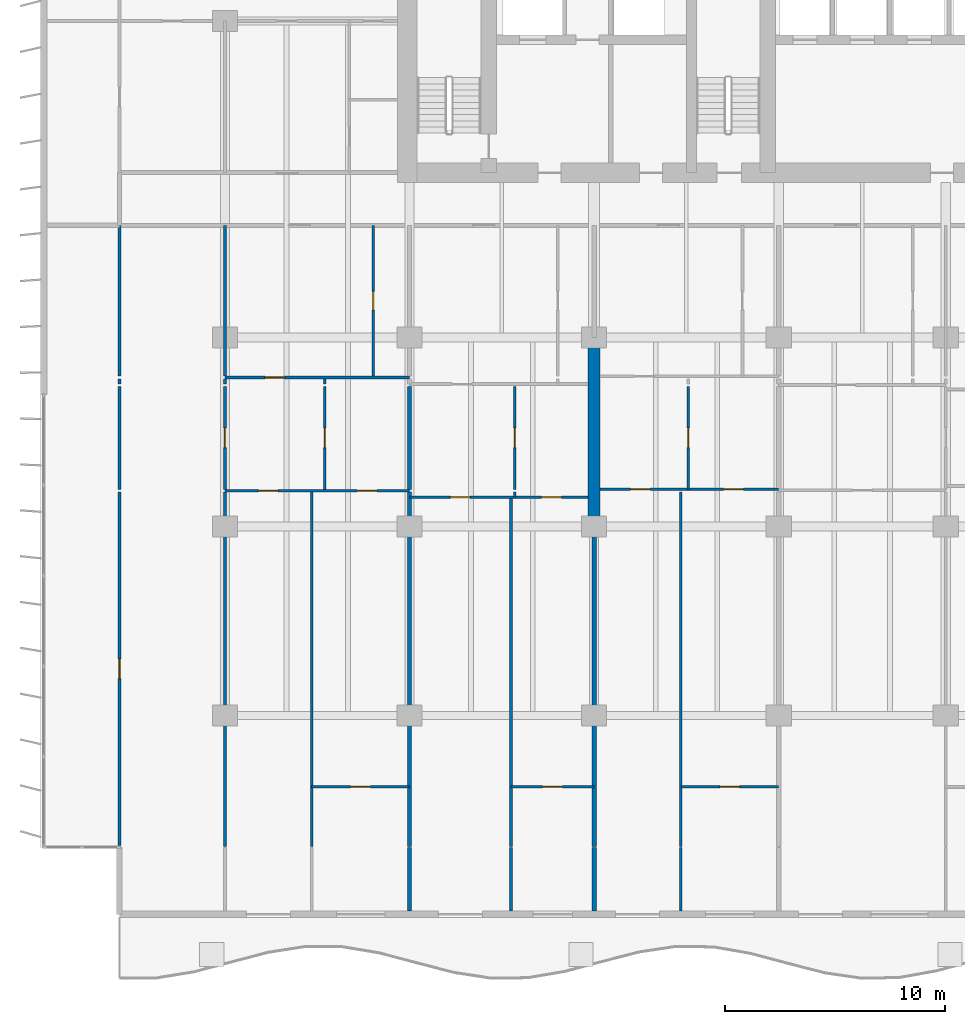
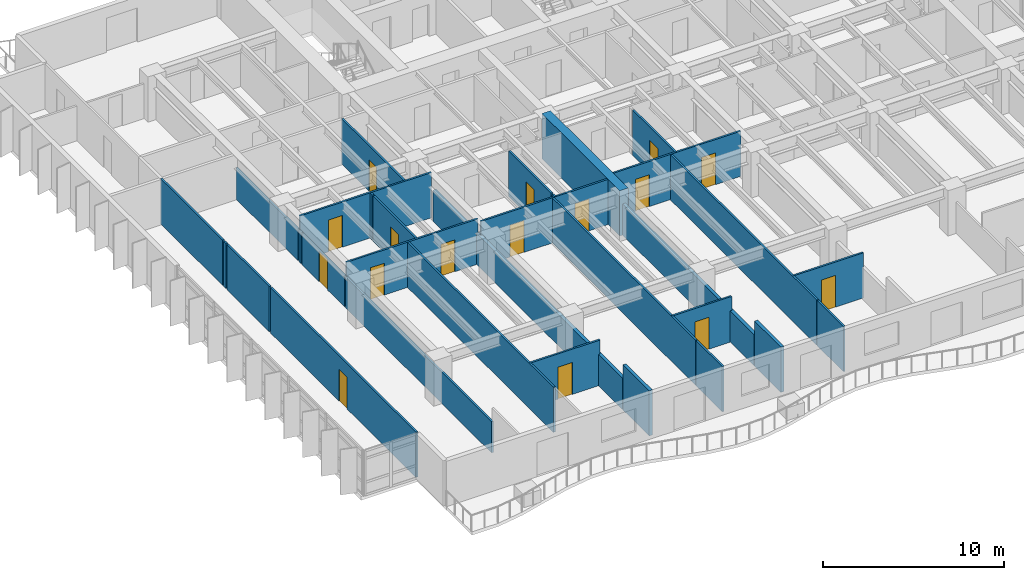
# One storey, part 6 of 18: 32 walls, 16 doors, 16 openings.
"""IFC4 building model written with IfcOpenShell, lengths in metres."""

from ifc_helpers import new_model, si_unit, direction, frame, frame_2d, origin, place, context, subcontext, project, spatial, rectangle, extrude, material, layer, layer_set, type_object, element, fill, save


model = new_model("IFC4")

# Units and contexts
model_context = context("Model", 3, precision=1e-05, world=origin(), true_north=direction((0.0, 1.0)))
body_context = subcontext(model_context, "Body", "Model", "MODEL_VIEW")
ifc_project = project(units=[si_unit("LENGTHUNIT", "METRE"), si_unit("AREAUNIT", "SQUARE_METRE"), si_unit("VOLUMEUNIT", "CUBIC_METRE"), si_unit("PLANEANGLEUNIT", "RADIAN"), si_unit("MASSUNIT", "GRAM", prefix="KILO")], contexts=[model_context])

# Site, building, storey
site_placement = place(None, origin())
site = spatial("IfcSite", under=ifc_project, at=site_placement, CompositionType="ELEMENT")
building_placement = place(site_placement, origin())
building = spatial("IfcBuilding", under=site, at=building_placement, Name="Caelmar Bay Residences", CompositionType="ELEMENT")
storey_placement = place(building_placement, frame((0.0, 0.0, 36.60009765625)))
storey = spatial("IfcBuildingStorey", under=building, at=storey_placement, Name="L08", CompositionType="ELEMENT", Elevation=36.60009765625)

# Wall
ifc_material_1 = material(Name="Concrete f'c 70 MPa (10,000 psi)", Category="concrete")
ifc_layer_1 = layer(ifc_material_1, 0.550048828125)
ifc_layer_set_1 = layer_set([ifc_layer_1], Name="Concrete f'c 70 MPa (10,000 psi)")
wall_type_1 = type_object("IfcWallType", Name="SW-XSLB-550", PredefinedType="SHEAR", material=ifc_layer_set_1)
wall_1_placement = place(storey_placement, frame((26.699951171875, 20.800048828125, 0.0), z_axis=(0.0, 0.0, 1.0), x_axis=(0.0, 1.0, 0.0)))
element("IfcWall", 1, at=wall_1_placement, inside=storey, type_object=wall_type_1, Name="L08 Transverse Cross-Slab Shear Wall W5", PredefinedType="SHEAR", context=body_context, shape_type="SweptSolid", body=[
    extrude(rectangle(XDim=8.599853515625, YDim=0.550048828125, at=frame_2d((4.2998046875, 0.0))), origin(), (0.0, 0.0, 1.0), 3.0498046875),
])

# Wall, opening, door
ifc_material_2 = material(Name="Acoustic metal-stud gypsum partition 120 mm")
ifc_layer_2 = layer(ifc_material_2, 0.1201171875)
ifc_layer_set_2 = layer_set([ifc_layer_2], Name="Acoustic metal-stud gypsum partition 120 mm")
wall_type_2 = type_object("IfcWallType", Name="W-PRT-120", PredefinedType="PARTITIONING", material=ifc_layer_set_2)
wall_2_placement = place(storey_placement, frame((5.10009765625, 6.284912109375, 0.0), z_axis=(0.0, 0.0, 1.0), x_axis=(0.0, 1.0, 0.0)))
wall_2 = element("IfcWall", 2, at=wall_2_placement, inside=storey, type_object=wall_type_2, Name="L08 Partition Wall V001", PredefinedType="PARTITIONING", context=body_context, shape_type="SweptSolid", body=[
    extrude(rectangle(XDim=16.085205078125, YDim=0.1201171875, at=frame_2d((8.04248046875, 0.0))), origin(), (0.0, 0.0, 1.0), 3.0498046875),
])
opening_1_placement = place(wall_2_placement, frame((7.592529296875, 0.0, 0.0)))
opening_1 = element("IfcOpeningElement", 3, at=opening_1_placement, cuts=wall_2, Name="Opening D-L08-167", PredefinedType="OPENING", context=body_context, shape_type="SweptSolid", body=[
    extrude(rectangle(XDim=0.89990234375, YDim=2.14990234375, at=frame_2d((0.449951171875, 1.074951171875))), frame((0.0, 0.070068359375, 0.0), z_axis=(0.0, -1.0, 0.0), x_axis=(1.0, 0.0, 0.0)), (0.0, 0.0, 1.0), 0.14013671875),
])
ifc_material_3 = material(Name="Solid walnut timber interior door leaf and frame", Category="wood")
ifc_layer_3 = layer(ifc_material_3, 0.050048828125)
ifc_layer_set_3 = layer_set([ifc_layer_3], Name="Solid walnut timber interior door leaf and frame")
door_type_1 = type_object("IfcDoorType", Name="D-ROOM-900", OperationType="NOTDEFINED", PredefinedType="DOOR", material=ifc_layer_set_3)
door_1_placement = place(opening_1_placement, origin())
door_1 = element("IfcDoor", 4, at=door_1_placement, inside=storey, type_object=door_type_1, Name="L08 Residence 01 Penthouse West Salon Door", OperationType="SINGLE_SWING_LEFT", OverallHeight=2.14990234375, OverallWidth=0.89990234375, PredefinedType="DOOR", context=body_context, shape_type="SweptSolid", body=[
    extrude(rectangle(XDim=0.89990234375, YDim=2.14990234375, at=frame_2d((0.449951171875, 1.074951171875))), frame((0.0, 0.02490234375, 0.0), z_axis=(0.0, -1.0, 0.0), x_axis=(1.0, 0.0, 0.0)), (0.0, 0.0, 1.0), 0.050048828125),
])
fill(opening_1, door_1)

# Walls
wall_3_placement = place(storey_placement, frame((5.10009765625, 22.489990234375, 0.0), z_axis=(0.0, 0.0, 1.0), x_axis=(0.0, 1.0, 0.0)))
element("IfcWall", 5, at=wall_3_placement, inside=storey, type_object=wall_type_2, Name="L08 Partition Wall V002", PredefinedType="PARTITIONING", context=body_context, shape_type="SweptSolid", body=[
    extrude(rectangle(XDim=4.68994140625, YDim=0.1201171875, at=frame_2d((2.344970703125, 0.0))), origin(), (0.0, 0.0, 1.0), 3.0498046875),
])
wall_4_placement = place(storey_placement, frame((5.10009765625, 27.280029296875, 0.0), z_axis=(0.0, 0.0, 1.0), x_axis=(0.0, 1.0, 0.0)))
element("IfcWall", 6, at=wall_4_placement, inside=storey, type_object=wall_type_2, Name="L08 Partition Wall V003", PredefinedType="PARTITIONING", context=body_context, shape_type="SweptSolid", body=[
    extrude(rectangle(XDim=0.239990234375, YDim=0.1201171875, at=frame_2d((0.1201171875, 0.0))), origin(), (0.0, 0.0, 1.0), 3.0498046875),
])
wall_5_placement = place(storey_placement, frame((5.10009765625, 27.639892578125, 0.0), z_axis=(0.0, 0.0, 1.0), x_axis=(0.0, 1.0, 0.0)))
element("IfcWall", 7, at=wall_5_placement, inside=storey, type_object=wall_type_2, Name="L08 Partition Wall V004", PredefinedType="PARTITIONING", context=body_context, shape_type="SweptSolid", body=[
    extrude(rectangle(XDim=6.860107421875, YDim=0.1201171875, at=frame_2d((3.43017578125, 0.0))), origin(), (0.0, 0.0, 1.0), 3.0498046875),
])
wall_6_placement = place(storey_placement, frame((9.89990234375, 6.239990234375, 0.0), z_axis=(0.0, 0.0, 1.0), x_axis=(0.0, 1.0, 0.0)))
element("IfcWall", 8, at=wall_6_placement, inside=storey, type_object=wall_type_2, Name="L08 Partition Wall V008", PredefinedType="PARTITIONING", context=body_context, shape_type="SweptSolid", body=[
    extrude(rectangle(XDim=16.130126953125, YDim=0.1201171875, at=frame_2d((8.06494140625, 0.0))), origin(), (0.0, 0.0, 1.0), 2.10986328125),
])

# Wall, opening, door
wall_7_placement = place(storey_placement, frame((9.89990234375, 22.489990234375, 0.0), z_axis=(0.0, 0.0, 1.0), x_axis=(0.0, 1.0, 0.0)))
wall_7 = element("IfcWall", 9, at=wall_7_placement, inside=storey, type_object=wall_type_2, Name="L08 Partition Wall V009", PredefinedType="PARTITIONING", context=body_context, shape_type="SweptSolid", body=[
    extrude(rectangle(XDim=4.68994140625, YDim=0.1201171875, at=frame_2d((2.344970703125, 0.0))), origin(), (0.0, 0.0, 1.0), 2.10986328125),
])
opening_2_placement = place(wall_7_placement, frame((1.89501953125, 0.0, 0.0)))
opening_2 = element("IfcOpeningElement", 10, at=opening_2_placement, cuts=wall_7, Name="Opening D-L08-128", PredefinedType="OPENING", context=body_context, shape_type="SweptSolid", body=[
    extrude(rectangle(XDim=0.89990234375, YDim=2.06005859375, at=frame_2d((0.449951171875, 1.030029296875))), frame((0.0, 0.070068359375, 0.0), z_axis=(0.0, -1.0, 0.0), x_axis=(1.0, 0.0, 0.0)), (0.0, 0.0, 1.0), 0.14013671875),
])
door_2_placement = place(opening_2_placement, origin())
door_2 = element("IfcDoor", 11, at=door_2_placement, inside=storey, type_object=door_type_1, Name="L08 Residence 01 West Apartment Hall Door", OperationType="SINGLE_SWING_RIGHT", OverallHeight=2.06005859375, OverallWidth=0.89990234375, PredefinedType="DOOR", context=body_context, shape_type="SweptSolid", body=[
    extrude(rectangle(XDim=0.89990234375, YDim=2.06005859375, at=frame_2d((0.449951171875, 1.030029296875))), frame((0.0, 0.02490234375, 0.0), z_axis=(0.0, -1.0, 0.0), x_axis=(1.0, 0.0, 0.0)), (0.0, 0.0, 1.0), 0.050048828125),
])
fill(opening_2, door_2)

# Walls
wall_8_placement = place(storey_placement, frame((9.89990234375, 27.280029296875, 0.0), z_axis=(0.0, 0.0, 1.0), x_axis=(0.0, 1.0, 0.0)))
element("IfcWall", 12, at=wall_8_placement, inside=storey, type_object=wall_type_2, Name="L08 Partition Wall V010", PredefinedType="PARTITIONING", context=body_context, shape_type="SweptSolid", body=[
    extrude(rectangle(XDim=0.239990234375, YDim=0.1201171875, at=frame_2d((0.1201171875, 0.0))), origin(), (0.0, 0.0, 1.0), 2.10986328125),
])
wall_9_placement = place(storey_placement, frame((9.89990234375, 27.639892578125, 0.0), z_axis=(0.0, 0.0, 1.0), x_axis=(0.0, 1.0, 0.0)))
element("IfcWall", 13, at=wall_9_placement, inside=storey, type_object=wall_type_2, Name="L08 Partition Wall V011", PredefinedType="PARTITIONING", context=body_context, shape_type="SweptSolid", body=[
    extrude(rectangle(XDim=6.860107421875, YDim=0.1201171875, at=frame_2d((3.43017578125, 0.0))), origin(), (0.0, 0.0, 1.0), 2.10986328125),
])
wall_10_placement = place(storey_placement, frame((13.847900390625, 6.239990234375, 0.0), z_axis=(0.0, 0.0, 1.0), x_axis=(0.0, 1.0, 0.0)))
element("IfcWall", 14, at=wall_10_placement, inside=storey, type_object=wall_type_2, Name="L08 Partition Wall V014", PredefinedType="PARTITIONING", context=body_context, shape_type="SweptSolid", body=[
    extrude(rectangle(XDim=16.130126953125, YDim=0.1201171875, at=frame_2d((8.06494140625, 0.0))), origin(), (0.0, 0.0, 1.0), 3.0498046875),
])

# Wall, opening, door
wall_11_placement = place(storey_placement, frame((14.43603515625, 22.489990234375, 0.0), z_axis=(0.0, 0.0, 1.0), x_axis=(0.0, 1.0, 0.0)))
wall_11 = element("IfcWall", 15, at=wall_11_placement, inside=storey, type_object=wall_type_2, Name="L08 Partition Wall V015", PredefinedType="PARTITIONING", context=body_context, shape_type="SweptSolid", body=[
    extrude(rectangle(XDim=4.68994140625, YDim=0.1201171875, at=frame_2d((2.344970703125, 0.0))), origin(), (0.0, 0.0, 1.0), 3.0498046875),
])
opening_3_placement = place(wall_11_placement, frame((1.89501953125, 0.0, 0.0)))
opening_3 = element("IfcOpeningElement", 16, at=opening_3_placement, cuts=wall_11, Name="Opening D-L08-124", PredefinedType="OPENING", context=body_context, shape_type="SweptSolid", body=[
    extrude(rectangle(XDim=0.89990234375, YDim=2.14990234375, at=frame_2d((0.449951171875, 1.074951171875))), frame((0.0, 0.070068359375, 0.0), z_axis=(0.0, -1.0, 0.0), x_axis=(1.0, 0.0, 0.0)), (0.0, 0.0, 1.0), 0.14013671875),
])
door_3_placement = place(opening_3_placement, origin())
door_3 = element("IfcDoor", 17, at=door_3_placement, inside=storey, type_object=door_type_1, Name="L08 Residence 01 Study Door", OperationType="SINGLE_SWING_RIGHT", OverallHeight=2.14990234375, OverallWidth=0.89990234375, PredefinedType="DOOR", context=body_context, shape_type="SweptSolid", body=[
    extrude(rectangle(XDim=0.89990234375, YDim=2.14990234375, at=frame_2d((0.449951171875, 1.074951171875))), frame((0.0, 0.02490234375, 0.0), z_axis=(0.0, -1.0, 0.0), x_axis=(1.0, 0.0, 0.0)), (0.0, 0.0, 1.0), 0.050048828125),
])
fill(opening_3, door_3)

# Wall
wall_12_placement = place(storey_placement, frame((14.43603515625, 27.280029296875, 0.0), z_axis=(0.0, 0.0, 1.0), x_axis=(0.0, 1.0, 0.0)))
element("IfcWall", 18, at=wall_12_placement, inside=storey, type_object=wall_type_2, Name="L08 Partition Wall V016", PredefinedType="PARTITIONING", context=body_context, shape_type="SweptSolid", body=[
    extrude(rectangle(XDim=0.239990234375, YDim=0.1201171875, at=frame_2d((0.1201171875, 0.0))), origin(), (0.0, 0.0, 1.0), 3.0498046875),
])

# Wall, opening, door
wall_13_placement = place(storey_placement, frame((16.64990234375, 27.639892578125, 0.0), z_axis=(0.0, 0.0, 1.0), x_axis=(0.0, 1.0, 0.0)))
wall_13 = element("IfcWall", 19, at=wall_13_placement, inside=storey, type_object=wall_type_2, Name="L08 Partition Wall V018", PredefinedType="PARTITIONING", context=body_context, shape_type="SweptSolid", body=[
    extrude(rectangle(XDim=6.860107421875, YDim=0.1201171875, at=frame_2d((3.43017578125, 0.0))), origin(), (0.0, 0.0, 1.0), 3.0498046875),
])
opening_4_placement = place(wall_13_placement, frame((3.0048828125, 0.0, 0.0)))
opening_4 = element("IfcOpeningElement", 20, at=opening_4_placement, cuts=wall_13, Name="Opening D-L08-122", PredefinedType="OPENING", context=body_context, shape_type="SweptSolid", body=[
    extrude(rectangle(XDim=0.85009765625, YDim=2.10009765625, at=frame_2d((0.425048828125, 1.050048828125))), frame((0.0, 0.070068359375, 0.0), z_axis=(0.0, -1.0, 0.0), x_axis=(1.0, 0.0, 0.0)), (0.0, 0.0, 1.0), 0.14013671875),
])
ifc_layer_4 = layer(ifc_material_3, 0.050048828125)
ifc_layer_set_4 = layer_set([ifc_layer_4], Name="Solid walnut timber interior door leaf and frame")
door_type_2 = type_object("IfcDoorType", Name="D-BATH-850", OperationType="NOTDEFINED", PredefinedType="DOOR", material=ifc_layer_set_4)
door_4_placement = place(opening_4_placement, origin())
door_4 = element("IfcDoor", 21, at=door_4_placement, inside=storey, type_object=door_type_2, Name="L08 Residence 01 Bathroom Door", OperationType="SINGLE_SWING_RIGHT", OverallHeight=2.10009765625, OverallWidth=0.85009765625, PredefinedType="DOOR", context=body_context, shape_type="SweptSolid", body=[
    extrude(rectangle(XDim=0.85009765625, YDim=2.10009765625, at=frame_2d((0.425048828125, 1.050048828125))), frame((0.0, 0.02490234375, 0.0), z_axis=(0.0, -1.0, 0.0), x_axis=(1.0, 0.0, 0.0)), (0.0, 0.0, 1.0), 0.050048828125),
])
fill(opening_4, door_4)

# Walls
wall_14_placement = place(storey_placement, frame((22.919921875, 3.294921875, 0.0), z_axis=(0.0, 0.0, 1.0), x_axis=(0.0, 1.0, 0.0)))
element("IfcWall", 22, at=wall_14_placement, inside=storey, type_object=wall_type_2, Name="L08 Partition Wall V025", PredefinedType="PARTITIONING", context=body_context, shape_type="SweptSolid", body=[
    extrude(rectangle(XDim=2.905029296875, YDim=0.1201171875, at=frame_2d((1.45263671875, 0.0))), origin(), (0.0, 0.0, 1.0), 3.0498046875),
])
wall_15_placement = place(storey_placement, frame((22.919921875, 6.239990234375, 0.0), z_axis=(0.0, 0.0, 1.0), x_axis=(0.0, 1.0, 0.0)))
element("IfcWall", 23, at=wall_15_placement, inside=storey, type_object=wall_type_2, Name="L08 Partition Wall V026", PredefinedType="PARTITIONING", context=body_context, shape_type="SweptSolid", body=[
    extrude(rectangle(XDim=15.889892578125, YDim=0.1201171875, at=frame_2d((7.94482421875, 0.0))), origin(), (0.0, 0.0, 1.0), 3.0498046875),
])
wall_16_placement = place(storey_placement, frame((23.0859375, 22.135009765625, 0.0), z_axis=(0.0, 0.0, 1.0), x_axis=(0.0, 1.0, 0.0)))
element("IfcWall", 24, at=wall_16_placement, inside=storey, type_object=wall_type_2, Name="L08 Partition Wall V027", PredefinedType="PARTITIONING", context=body_context, shape_type="SweptSolid", body=[
    extrude(rectangle(XDim=0.235107421875, YDim=0.1201171875, at=frame_2d((0.11767578125, 0.0))), origin(), (0.0, 0.0, 1.0), 3.0498046875),
])

# Wall, opening, door
wall_17_placement = place(storey_placement, frame((23.0859375, 22.489990234375, 0.0), z_axis=(0.0, 0.0, 1.0), x_axis=(0.0, 1.0, 0.0)))
wall_17 = element("IfcWall", 25, at=wall_17_placement, inside=storey, type_object=wall_type_2, Name="L08 Partition Wall V028", PredefinedType="PARTITIONING", context=body_context, shape_type="SweptSolid", body=[
    extrude(rectangle(XDim=4.68994140625, YDim=0.1201171875, at=frame_2d((2.344970703125, 0.0))), origin(), (0.0, 0.0, 1.0), 3.0498046875),
])
opening_5_placement = place(wall_17_placement, frame((1.89501953125, 0.0, 0.0)))
opening_5 = element("IfcOpeningElement", 26, at=opening_5_placement, cuts=wall_17, Name="Opening D-L08-132", PredefinedType="OPENING", context=body_context, shape_type="SweptSolid", body=[
    extrude(rectangle(XDim=0.89990234375, YDim=2.14990234375, at=frame_2d((0.449951171875, 1.074951171875))), frame((0.0, 0.070068359375, 0.0), z_axis=(0.0, -1.0, 0.0), x_axis=(1.0, 0.0, 0.0)), (0.0, 0.0, 1.0), 0.14013671875),
])
door_5_placement = place(opening_5_placement, origin())
door_5 = element("IfcDoor", 27, at=door_5_placement, inside=storey, type_object=door_type_1, Name="L08 Residence 02 Study Door", OperationType="SINGLE_SWING_RIGHT", OverallHeight=2.14990234375, OverallWidth=0.89990234375, PredefinedType="DOOR", context=body_context, shape_type="SweptSolid", body=[
    extrude(rectangle(XDim=0.89990234375, YDim=2.14990234375, at=frame_2d((0.449951171875, 1.074951171875))), frame((0.0, 0.02490234375, 0.0), z_axis=(0.0, -1.0, 0.0), x_axis=(1.0, 0.0, 0.0)), (0.0, 0.0, 1.0), 0.050048828125),
])
fill(opening_5, door_5)

# Walls
wall_18_placement = place(storey_placement, frame((30.64794921875, 3.294921875, 0.0), z_axis=(0.0, 0.0, 1.0), x_axis=(0.0, 1.0, 0.0)))
element("IfcWall", 28, at=wall_18_placement, inside=storey, type_object=wall_type_2, Name="L08 Partition Wall V037", PredefinedType="PARTITIONING", context=body_context, shape_type="SweptSolid", body=[
    extrude(rectangle(XDim=2.905029296875, YDim=0.1201171875, at=frame_2d((1.45263671875, 0.0))), origin(), (0.0, 0.0, 1.0), 3.0498046875),
])
wall_19_placement = place(storey_placement, frame((30.64794921875, 6.239990234375, 0.0), z_axis=(0.0, 0.0, 1.0), x_axis=(0.0, 1.0, 0.0)))
element("IfcWall", 29, at=wall_19_placement, inside=storey, type_object=wall_type_2, Name="L08 Partition Wall V038", PredefinedType="PARTITIONING", context=body_context, shape_type="SweptSolid", body=[
    extrude(rectangle(XDim=16.130126953125, YDim=0.1201171875, at=frame_2d((8.06494140625, 0.0))), origin(), (0.0, 0.0, 1.0), 3.0498046875),
])

# Wall, opening, door
wall_20_placement = place(storey_placement, frame((30.986083984375, 22.489990234375, 0.0), z_axis=(0.0, 0.0, 1.0), x_axis=(0.0, 1.0, 0.0)))
wall_20 = element("IfcWall", 30, at=wall_20_placement, inside=storey, type_object=wall_type_2, Name="L08 Partition Wall V039", PredefinedType="PARTITIONING", context=body_context, shape_type="SweptSolid", body=[
    extrude(rectangle(XDim=4.68994140625, YDim=0.1201171875, at=frame_2d((2.344970703125, 0.0))), origin(), (0.0, 0.0, 1.0), 3.0498046875),
])
opening_6_placement = place(wall_20_placement, frame((1.89501953125, 0.0, 0.0)))
opening_6 = element("IfcOpeningElement", 31, at=opening_6_placement, cuts=wall_20, Name="Opening D-L08-139", PredefinedType="OPENING", context=body_context, shape_type="SweptSolid", body=[
    extrude(rectangle(XDim=0.89990234375, YDim=2.14990234375, at=frame_2d((0.449951171875, 1.074951171875))), frame((0.0, 0.070068359375, 0.0), z_axis=(0.0, -1.0, 0.0), x_axis=(1.0, 0.0, 0.0)), (0.0, 0.0, 1.0), 0.14013671875),
])
door_6_placement = place(opening_6_placement, origin())
door_6 = element("IfcDoor", 32, at=door_6_placement, inside=storey, type_object=door_type_1, Name="L08 Residence 03 Study Door", OperationType="SINGLE_SWING_LEFT", OverallHeight=2.14990234375, OverallWidth=0.89990234375, PredefinedType="DOOR", context=body_context, shape_type="SweptSolid", body=[
    extrude(rectangle(XDim=0.89990234375, YDim=2.14990234375, at=frame_2d((0.449951171875, 1.074951171875))), frame((0.0, 0.02490234375, 0.0), z_axis=(0.0, -1.0, 0.0), x_axis=(1.0, 0.0, 0.0)), (0.0, 0.0, 1.0), 0.050048828125),
])
fill(opening_6, door_6)

wall_21_placement = place(storey_placement, frame((13.847900390625, 8.949951171875, 0.0), z_axis=(0.0, 0.0, 1.0), x_axis=(1.0, 0.0, 0.0)))
wall_21 = element("IfcWall", 33, at=wall_21_placement, inside=storey, type_object=wall_type_2, Name="L08 Partition Wall H103", PredefinedType="PARTITIONING", context=body_context, shape_type="SweptSolid", body=[
    extrude(rectangle(XDim=4.4521484375, YDim=0.1201171875, at=frame_2d((2.22607421875, 0.0))), origin(), (0.0, 0.0, 1.0), 3.0498046875),
])
opening_7_placement = place(wall_21_placement, frame((1.77587890625, 0.0, 0.0)))
opening_7 = element("IfcOpeningElement", 34, at=opening_7_placement, cuts=wall_21, Name="Opening D-L08-127", PredefinedType="OPENING", context=body_context, shape_type="SweptSolid", body=[
    extrude(rectangle(XDim=0.89990234375, YDim=2.14990234375, at=frame_2d((0.449951171875, 1.074951171875))), frame((0.0, 0.070068359375, 0.0), z_axis=(0.0, -1.0, 0.0), x_axis=(1.0, 0.0, 0.0)), (0.0, 0.0, 1.0), 0.14013671875),
])
door_7_placement = place(opening_7_placement, origin())
door_7 = element("IfcDoor", 35, at=door_7_placement, inside=storey, type_object=door_type_1, Name="L08 Residence 01 Primary Bedroom Door", OperationType="SINGLE_SWING_LEFT", OverallHeight=2.14990234375, OverallWidth=0.89990234375, PredefinedType="DOOR", context=body_context, shape_type="SweptSolid", body=[
    extrude(rectangle(XDim=0.89990234375, YDim=2.14990234375, at=frame_2d((0.449951171875, 1.074951171875))), frame((0.0, 0.02490234375, 0.0), z_axis=(0.0, -1.0, 0.0), x_axis=(1.0, 0.0, 0.0)), (0.0, 0.0, 1.0), 0.050048828125),
])
fill(opening_7, door_7)

wall_22_placement = place(storey_placement, frame((22.919921875, 8.949951171875, 0.0), z_axis=(0.0, 0.0, 1.0), x_axis=(1.0, 0.0, 0.0)))
wall_22 = element("IfcWall", 36, at=wall_22_placement, inside=storey, type_object=wall_type_2, Name="L08 Partition Wall H104", PredefinedType="PARTITIONING", context=body_context, shape_type="SweptSolid", body=[
    extrude(rectangle(XDim=3.780029296875, YDim=0.1201171875, at=frame_2d((1.89013671875, 0.0))), origin(), (0.0, 0.0, 1.0), 3.0498046875),
])
opening_8_placement = place(wall_22_placement, frame((1.43994140625, 0.0, 0.0)))
opening_8 = element("IfcOpeningElement", 37, at=opening_8_placement, cuts=wall_22, Name="Opening D-L08-135", PredefinedType="OPENING", context=body_context, shape_type="SweptSolid", body=[
    extrude(rectangle(XDim=0.89990234375, YDim=2.14990234375, at=frame_2d((0.449951171875, 1.074951171875))), frame((0.0, 0.070068359375, 0.0), z_axis=(0.0, -1.0, 0.0), x_axis=(1.0, 0.0, 0.0)), (0.0, 0.0, 1.0), 0.14013671875),
])
door_8_placement = place(opening_8_placement, origin())
door_8 = element("IfcDoor", 38, at=door_8_placement, inside=storey, type_object=door_type_1, Name="L08 Residence 02 Primary Bedroom Door", OperationType="SINGLE_SWING_LEFT", OverallHeight=2.14990234375, OverallWidth=0.89990234375, PredefinedType="DOOR", context=body_context, shape_type="SweptSolid", body=[
    extrude(rectangle(XDim=0.89990234375, YDim=2.14990234375, at=frame_2d((0.449951171875, 1.074951171875))), frame((0.0, 0.02490234375, 0.0), z_axis=(0.0, -1.0, 0.0), x_axis=(1.0, 0.0, 0.0)), (0.0, 0.0, 1.0), 0.050048828125),
])
fill(opening_8, door_8)

wall_23_placement = place(storey_placement, frame((30.64794921875, 8.949951171875, 0.0), z_axis=(0.0, 0.0, 1.0), x_axis=(1.0, 0.0, 0.0)))
wall_23 = element("IfcWall", 39, at=wall_23_placement, inside=storey, type_object=wall_type_2, Name="L08 Partition Wall H105", PredefinedType="PARTITIONING", context=body_context, shape_type="SweptSolid", body=[
    extrude(rectangle(XDim=4.4521484375, YDim=0.1201171875, at=frame_2d((2.22607421875, 0.0))), origin(), (0.0, 0.0, 1.0), 3.0498046875),
])
opening_9_placement = place(wall_23_placement, frame((1.77587890625, 0.0, 0.0)))
opening_9 = element("IfcOpeningElement", 40, at=opening_9_placement, cuts=wall_23, Name="Opening D-L08-142", PredefinedType="OPENING", context=body_context, shape_type="SweptSolid", body=[
    extrude(rectangle(XDim=0.89990234375, YDim=2.14990234375, at=frame_2d((0.449951171875, 1.074951171875))), frame((0.0, 0.070068359375, 0.0), z_axis=(0.0, -1.0, 0.0), x_axis=(1.0, 0.0, 0.0)), (0.0, 0.0, 1.0), 0.14013671875),
])
door_9_placement = place(opening_9_placement, origin())
door_9 = element("IfcDoor", 41, at=door_9_placement, inside=storey, type_object=door_type_1, Name="L08 Residence 03 Primary Bedroom Door", OperationType="SINGLE_SWING_RIGHT", OverallHeight=2.14990234375, OverallWidth=0.89990234375, PredefinedType="DOOR", context=body_context, shape_type="SweptSolid", body=[
    extrude(rectangle(XDim=0.89990234375, YDim=2.14990234375, at=frame_2d((0.449951171875, 1.074951171875))), frame((0.0, 0.02490234375, 0.0), z_axis=(0.0, -1.0, 0.0), x_axis=(1.0, 0.0, 0.0)), (0.0, 0.0, 1.0), 0.050048828125),
])
fill(opening_9, door_9)

# Wall, openings, doors
wall_24_placement = place(storey_placement, frame((18.300048828125, 22.1298828125, 0.0), z_axis=(0.0, 0.0, 1.0), x_axis=(1.0, 0.0, 0.0)))
wall_24 = element("IfcWall", 42, at=wall_24_placement, inside=storey, type_object=wall_type_2, Name="L08 Partition Wall H111", PredefinedType="PARTITIONING", context=body_context, shape_type="SweptSolid", body=[
    extrude(rectangle(XDim=8.1298828125, YDim=0.1201171875, at=frame_2d((4.06494140625, 0.0))), origin(), (0.0, 0.0, 1.0), 3.0498046875),
])
opening_10_placement = place(wall_24_placement, frame((1.860107421875, 0.0, 0.0)))
opening_10 = element("IfcOpeningElement", 43, at=opening_10_placement, cuts=wall_24, Name="Opening D-L08-133", PredefinedType="OPENING", context=body_context, shape_type="SweptSolid", body=[
    extrude(rectangle(XDim=0.89990234375, YDim=2.14990234375, at=frame_2d((0.449951171875, 1.074951171875))), frame((0.0, 0.070068359375, 0.0), z_axis=(0.0, -1.0, 0.0), x_axis=(1.0, 0.0, 0.0)), (0.0, 0.0, 1.0), 0.14013671875),
])
opening_11_placement = place(wall_24_placement, frame((6.008056640625, 0.0, 0.0)))
opening_11 = element("IfcOpeningElement", 44, at=opening_11_placement, cuts=wall_24, Name="Opening D-L08-134", PredefinedType="OPENING", context=body_context, shape_type="SweptSolid", body=[
    extrude(rectangle(XDim=0.89990234375, YDim=2.14990234375, at=frame_2d((0.449951171875, 1.074951171875))), frame((0.0, 0.070068359375, 0.0), z_axis=(0.0, -1.0, 0.0), x_axis=(1.0, 0.0, 0.0)), (0.0, 0.0, 1.0), 0.14013671875),
])
door_10_placement = place(opening_10_placement, origin())
door_10 = element("IfcDoor", 45, at=door_10_placement, inside=storey, type_object=door_type_1, Name="L08 Residence 02 Penthouse Living Salon Door", OperationType="SINGLE_SWING_LEFT", OverallHeight=2.14990234375, OverallWidth=0.89990234375, PredefinedType="DOOR", context=body_context, shape_type="SweptSolid", body=[
    extrude(rectangle(XDim=0.89990234375, YDim=2.14990234375, at=frame_2d((0.449951171875, 1.074951171875))), frame((0.0, 0.02490234375, 0.0), z_axis=(0.0, -1.0, 0.0), x_axis=(1.0, 0.0, 0.0)), (0.0, 0.0, 1.0), 0.050048828125),
])
fill(opening_10, door_10)
door_11_placement = place(opening_11_placement, origin())
door_11 = element("IfcDoor", 46, at=door_11_placement, inside=storey, type_object=door_type_1, Name="L08 Residence 02 Penthouse Sitting Room Door", OperationType="SINGLE_SWING_RIGHT", OverallHeight=2.14990234375, OverallWidth=0.89990234375, PredefinedType="DOOR", context=body_context, shape_type="SweptSolid", body=[
    extrude(rectangle(XDim=0.89990234375, YDim=2.14990234375, at=frame_2d((0.449951171875, 1.074951171875))), frame((0.0, 0.02490234375, 0.0), z_axis=(0.0, -1.0, 0.0), x_axis=(1.0, 0.0, 0.0)), (0.0, 0.0, 1.0), 0.050048828125),
])
fill(opening_11, door_11)

wall_25_placement = place(storey_placement, frame((9.89990234375, 22.429931640625, 0.0), z_axis=(0.0, 0.0, 1.0), x_axis=(1.0, 0.0, 0.0)))
wall_25 = element("IfcWall", 47, at=wall_25_placement, inside=storey, type_object=wall_type_2, Name="L08 Partition Wall H114", PredefinedType="PARTITIONING", context=body_context, shape_type="SweptSolid", body=[
    extrude(rectangle(XDim=8.400146484375, YDim=0.1201171875, at=frame_2d((4.2001953125, 0.0))), origin(), (0.0, 0.0, 1.0), 3.0498046875),
])
opening_12_placement = place(wall_25_placement, frame((1.52392578125, 0.0, 0.0)))
opening_12 = element("IfcOpeningElement", 48, at=opening_12_placement, cuts=wall_25, Name="Opening D-L08-125", PredefinedType="OPENING", context=body_context, shape_type="SweptSolid", body=[
    extrude(rectangle(XDim=0.89990234375, YDim=2.14990234375, at=frame_2d((0.449951171875, 1.074951171875))), frame((0.0, 0.070068359375, 0.0), z_axis=(0.0, -1.0, 0.0), x_axis=(1.0, 0.0, 0.0)), (0.0, 0.0, 1.0), 0.14013671875),
])
opening_13_placement = place(wall_25_placement, frame((6.01806640625, 0.0, 0.0)))
opening_13 = element("IfcOpeningElement", 49, at=opening_13_placement, cuts=wall_25, Name="Opening D-L08-126", PredefinedType="OPENING", context=body_context, shape_type="SweptSolid", body=[
    extrude(rectangle(XDim=0.89990234375, YDim=2.14990234375, at=frame_2d((0.449951171875, 1.074951171875))), frame((0.0, 0.070068359375, 0.0), z_axis=(0.0, -1.0, 0.0), x_axis=(1.0, 0.0, 0.0)), (0.0, 0.0, 1.0), 0.14013671875),
])
door_12_placement = place(opening_12_placement, origin())
door_12 = element("IfcDoor", 50, at=door_12_placement, inside=storey, type_object=door_type_1, Name="L08 Residence 01 Penthouse Living Salon Door", OperationType="SINGLE_SWING_LEFT", OverallHeight=2.14990234375, OverallWidth=0.89990234375, PredefinedType="DOOR", context=body_context, shape_type="SweptSolid", body=[
    extrude(rectangle(XDim=0.89990234375, YDim=2.14990234375, at=frame_2d((0.449951171875, 1.074951171875))), frame((0.0, 0.02490234375, 0.0), z_axis=(0.0, -1.0, 0.0), x_axis=(1.0, 0.0, 0.0)), (0.0, 0.0, 1.0), 0.050048828125),
])
fill(opening_12, door_12)
door_13_placement = place(opening_13_placement, origin())
door_13 = element("IfcDoor", 51, at=door_13_placement, inside=storey, type_object=door_type_1, Name="L08 Residence 01 Penthouse Sitting Room Door", OperationType="SINGLE_SWING_RIGHT", OverallHeight=2.14990234375, OverallWidth=0.89990234375, PredefinedType="DOOR", context=body_context, shape_type="SweptSolid", body=[
    extrude(rectangle(XDim=0.89990234375, YDim=2.14990234375, at=frame_2d((0.449951171875, 1.074951171875))), frame((0.0, 0.02490234375, 0.0), z_axis=(0.0, -1.0, 0.0), x_axis=(1.0, 0.0, 0.0)), (0.0, 0.0, 1.0), 0.050048828125),
])
fill(opening_13, door_13)

wall_26_placement = place(storey_placement, frame((26.969970703125, 22.489990234375, 0.0), z_axis=(0.0, 0.0, 1.0), x_axis=(1.0, 0.0, 0.0)))
wall_26 = element("IfcWall", 52, at=wall_26_placement, inside=storey, type_object=wall_type_2, Name="L08 Partition Wall H116", PredefinedType="PARTITIONING", context=body_context, shape_type="SweptSolid", body=[
    extrude(rectangle(XDim=8.125, YDim=0.1201171875, at=frame_2d((4.0625, 0.0))), origin(), (0.0, 0.0, 1.0), 3.0498046875),
])
opening_14_placement = place(wall_26_placement, frame((1.388916015625, 0.0, 0.0)))
opening_14 = element("IfcOpeningElement", 53, at=opening_14_placement, cuts=wall_26, Name="Opening D-L08-140", PredefinedType="OPENING", context=body_context, shape_type="SweptSolid", body=[
    extrude(rectangle(XDim=0.89990234375, YDim=2.14990234375, at=frame_2d((0.449951171875, 1.074951171875))), frame((0.0, 0.070068359375, 0.0), z_axis=(0.0, -1.0, 0.0), x_axis=(1.0, 0.0, 0.0)), (0.0, 0.0, 1.0), 0.14013671875),
])
opening_15_placement = place(wall_26_placement, frame((5.62060546875, 0.0, 0.0)))
opening_15 = element("IfcOpeningElement", 54, at=opening_15_placement, cuts=wall_26, Name="Opening D-L08-141", PredefinedType="OPENING", context=body_context, shape_type="SweptSolid", body=[
    extrude(rectangle(XDim=0.89990234375, YDim=2.14990234375, at=frame_2d((0.449951171875, 1.074951171875))), frame((0.0, 0.070068359375, 0.0), z_axis=(0.0, -1.0, 0.0), x_axis=(1.0, 0.0, 0.0)), (0.0, 0.0, 1.0), 0.14013671875),
])
door_14_placement = place(opening_14_placement, origin())
door_14 = element("IfcDoor", 55, at=door_14_placement, inside=storey, type_object=door_type_1, Name="L08 Residence 03 Penthouse Living Salon Door", OperationType="SINGLE_SWING_RIGHT", OverallHeight=2.14990234375, OverallWidth=0.89990234375, PredefinedType="DOOR", context=body_context, shape_type="SweptSolid", body=[
    extrude(rectangle(XDim=0.89990234375, YDim=2.14990234375, at=frame_2d((0.449951171875, 1.074951171875))), frame((0.0, 0.02490234375, 0.0), z_axis=(0.0, -1.0, 0.0), x_axis=(1.0, 0.0, 0.0)), (0.0, 0.0, 1.0), 0.050048828125),
])
fill(opening_14, door_14)
door_15_placement = place(opening_15_placement, origin())
door_15 = element("IfcDoor", 56, at=door_15_placement, inside=storey, type_object=door_type_1, Name="L08 Residence 03 Penthouse Sitting Room Door", OperationType="SINGLE_SWING_LEFT", OverallHeight=2.14990234375, OverallWidth=0.89990234375, PredefinedType="DOOR", context=body_context, shape_type="SweptSolid", body=[
    extrude(rectangle(XDim=0.89990234375, YDim=2.14990234375, at=frame_2d((0.449951171875, 1.074951171875))), frame((0.0, 0.02490234375, 0.0), z_axis=(0.0, -1.0, 0.0), x_axis=(1.0, 0.0, 0.0)), (0.0, 0.0, 1.0), 0.050048828125),
])
fill(opening_15, door_15)

# Wall, opening, door
wall_27_placement = place(storey_placement, frame((9.89990234375, 27.580078125, 0.0), z_axis=(0.0, 0.0, 1.0), x_axis=(1.0, 0.0, 0.0)))
wall_27 = element("IfcWall", 57, at=wall_27_placement, inside=storey, type_object=wall_type_2, Name="L08 Partition Wall H124", PredefinedType="PARTITIONING", context=body_context, shape_type="SweptSolid", body=[
    extrude(rectangle(XDim=8.400146484375, YDim=0.1201171875, at=frame_2d((4.2001953125, 0.0))), origin(), (0.0, 0.0, 1.0), 3.0498046875),
])
opening_16_placement = place(wall_27_placement, frame((1.818115234375, 0.0, 0.0)))
opening_16 = element("IfcOpeningElement", 58, at=opening_16_placement, cuts=wall_27, Name="Opening D-L08-123", PredefinedType="OPENING", context=body_context, shape_type="SweptSolid", body=[
    extrude(rectangle(XDim=0.89990234375, YDim=2.14990234375, at=frame_2d((0.449951171875, 1.074951171875))), frame((0.0, 0.070068359375, 0.0), z_axis=(0.0, -1.0, 0.0), x_axis=(1.0, 0.0, 0.0)), (0.0, 0.0, 1.0), 0.14013671875),
])
door_16_placement = place(opening_16_placement, origin())
door_16 = element("IfcDoor", 59, at=door_16_placement, inside=storey, type_object=door_type_1, Name="L08 Residence 01 Kitchen Door", OperationType="SINGLE_SWING_LEFT", OverallHeight=2.14990234375, OverallWidth=0.89990234375, PredefinedType="DOOR", context=body_context, shape_type="SweptSolid", body=[
    extrude(rectangle(XDim=0.89990234375, YDim=2.14990234375, at=frame_2d((0.449951171875, 1.074951171875))), frame((0.0, 0.02490234375, 0.0), z_axis=(0.0, -1.0, 0.0), x_axis=(1.0, 0.0, 0.0)), (0.0, 0.0, 1.0), 0.050048828125),
])
fill(opening_16, door_16)

# Walls
ifc_material_4 = material(Name="Acoustic twin-stud fire-rated inter-tenancy partition 200 mm")
ifc_layer_5 = layer(ifc_material_4, 0.199951171875)
ifc_layer_set_5 = layer_set([ifc_layer_5], Name="Acoustic twin-stud fire-rated inter-tenancy partition 200 mm")
wall_type_3 = type_object("IfcWallType", Name="W-PTY-200", PredefinedType="PARTITIONING", material=ifc_layer_set_5)
wall_28_placement = place(storey_placement, frame((18.300048828125, 3.294921875, 0.0), z_axis=(0.0, 0.0, 1.0), x_axis=(0.0, 1.0, 0.0)))
element("IfcWall", 60, at=wall_28_placement, inside=storey, type_object=wall_type_3, Name="L08 Partition Wall V019", PredefinedType="PARTITIONING", context=body_context, shape_type="SweptSolid", body=[
    extrude(rectangle(XDim=2.905029296875, YDim=0.199951171875, at=frame_2d((1.45263671875, 0.0))), origin(), (0.0, 0.0, 1.0), 3.0498046875),
])
wall_29_placement = place(storey_placement, frame((18.300048828125, 6.239990234375, 0.0), z_axis=(0.0, 0.0, 1.0), x_axis=(0.0, 1.0, 0.0)))
element("IfcWall", 61, at=wall_29_placement, inside=storey, type_object=wall_type_3, Name="L08 Partition Wall V020", PredefinedType="PARTITIONING", context=body_context, shape_type="SweptSolid", body=[
    extrude(rectangle(XDim=16.130126953125, YDim=0.199951171875, at=frame_2d((8.06494140625, 0.0))), origin(), (0.0, 0.0, 1.0), 2.10986328125),
])
wall_30_placement = place(storey_placement, frame((18.300048828125, 22.489990234375, 0.0), z_axis=(0.0, 0.0, 1.0), x_axis=(0.0, 1.0, 0.0)))
element("IfcWall", 62, at=wall_30_placement, inside=storey, type_object=wall_type_3, Name="L08 Partition Wall V021", PredefinedType="PARTITIONING", context=body_context, shape_type="SweptSolid", body=[
    extrude(rectangle(XDim=4.68994140625, YDim=0.199951171875, at=frame_2d((2.344970703125, 0.0))), origin(), (0.0, 0.0, 1.0), 2.10986328125),
])
wall_31_placement = place(storey_placement, frame((26.699951171875, 3.294921875, 0.0), z_axis=(0.0, 0.0, 1.0), x_axis=(0.0, 1.0, 0.0)))
element("IfcWall", 63, at=wall_31_placement, inside=storey, type_object=wall_type_3, Name="L08 Partition Wall V032", PredefinedType="PARTITIONING", context=body_context, shape_type="SweptSolid", body=[
    extrude(rectangle(XDim=2.905029296875, YDim=0.199951171875, at=frame_2d((1.45263671875, 0.0))), origin(), (0.0, 0.0, 1.0), 3.0498046875),
])
wall_32_placement = place(storey_placement, frame((26.699951171875, 6.239990234375, 0.0), z_axis=(0.0, 0.0, 1.0), x_axis=(0.0, 1.0, 0.0)))
element("IfcWall", 64, at=wall_32_placement, inside=storey, type_object=wall_type_3, Name="L08 Partition Wall V033", PredefinedType="PARTITIONING", context=body_context, shape_type="SweptSolid", body=[
    extrude(rectangle(XDim=14.554931640625, YDim=0.199951171875, at=frame_2d((7.27734375, 0.0))), origin(), (0.0, 0.0, 1.0), 2.10986328125),
])

save(model, "model.ifc")
